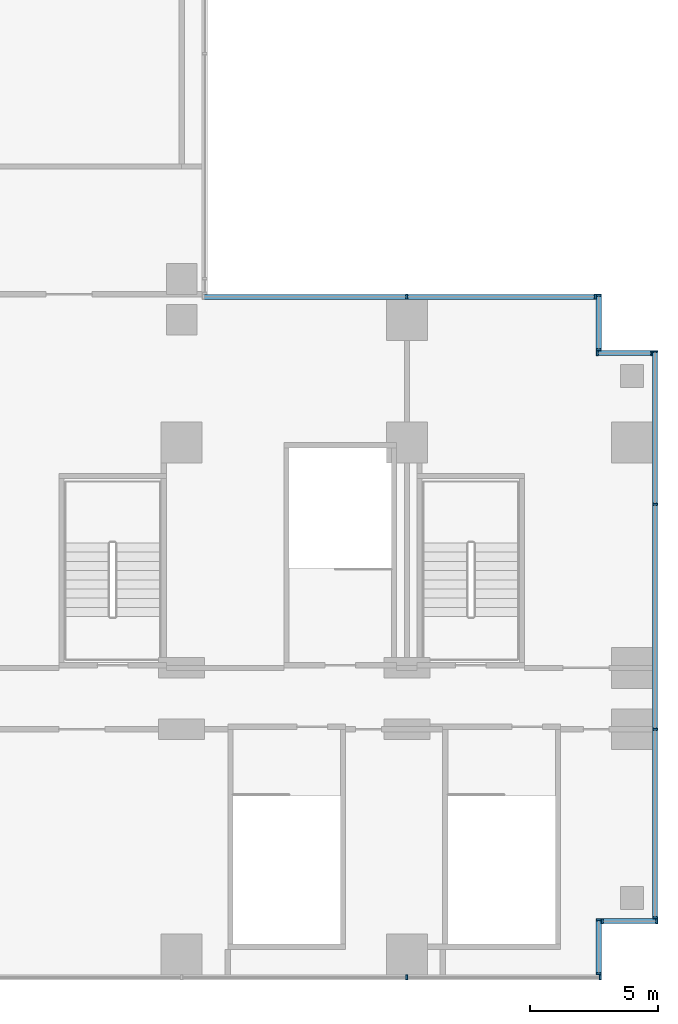
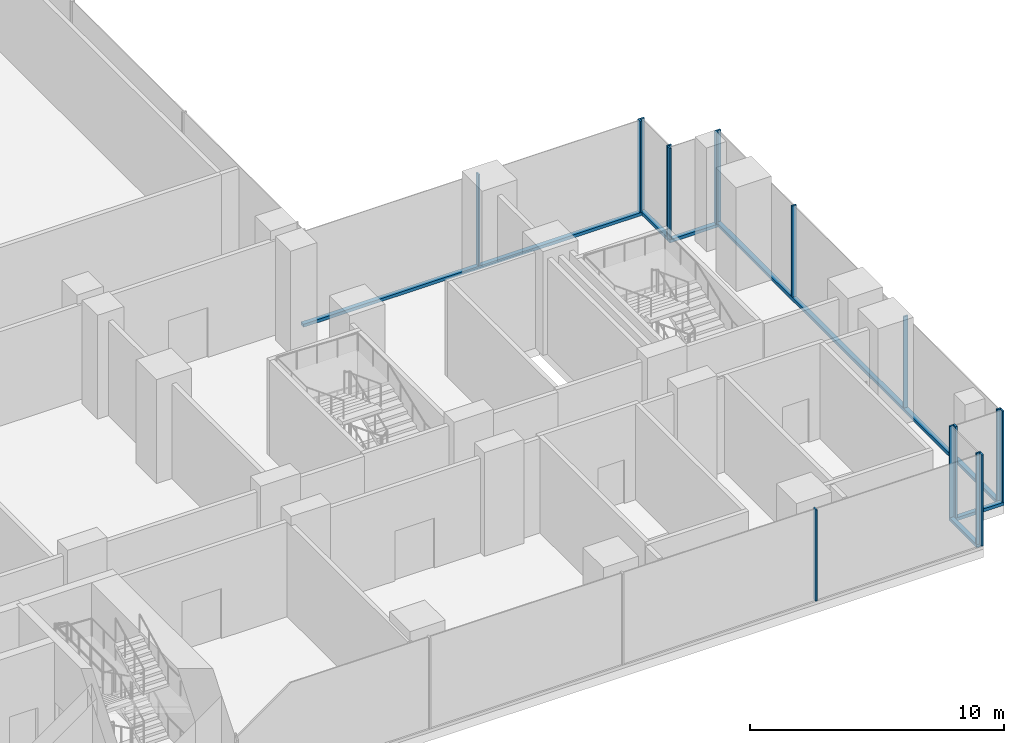
# One storey, part 10 of 27: 22 members, 7 elements without a shape of their own.
"""IFC4 building model written with IfcOpenShell, lengths in metres."""

from ifc_helpers import new_model, si_unit, direction, frame, origin, origin_2d, place, context, subcontext, project, spatial, rectangle, extrude, source, transform, mapped, material, material_profile, profile_set, type_object, element, aggregate, save


model = new_model("IFC4")

# Units and contexts
model_context = context("Model", 3, precision=1e-05, world=origin(), true_north=direction((0.0, 1.0)))
body_context = subcontext(model_context, "Body", "Model", "MODEL_VIEW")
ifc_project = project(units=[si_unit("LENGTHUNIT", "METRE"), si_unit("AREAUNIT", "SQUARE_METRE"), si_unit("VOLUMEUNIT", "CUBIC_METRE"), si_unit("PLANEANGLEUNIT", "RADIAN"), si_unit("MASSUNIT", "GRAM", prefix="KILO")], contexts=[model_context])

# Site, building, storey
site_placement = place(None, origin())
site = spatial("IfcSite", under=ifc_project, at=site_placement, CompositionType="ELEMENT")
building_placement = place(site_placement, origin())
building = spatial("IfcBuilding", under=site, at=building_placement, Name="Kemantara Hotel Tower", CompositionType="ELEMENT")
storey_placement = place(building_placement, frame((0.0, 0.0, 29.0)))
storey = spatial("IfcBuildingStorey", under=building, at=storey_placement, Name="L05", CompositionType="ELEMENT", Elevation=29.0)

# Curtain wall, member
ifc_material_1 = material(Name="Laminated tinted insulated glass 44 mm", Category="glass")
curtain_wall_type = type_object("IfcCurtainWallType", Name="PODIUM GLASS CURTAIN WALL", PredefinedType="USERDEFINED", material=ifc_material_1)
curtain_wall_1_placement = place(storey_placement, origin())
curtain_wall_1 = element("IfcCurtainWall", 1, at=curtain_wall_1_placement, inside=storey, type_object=curtain_wall_type, Name="CW1 L05 POD-R04-1", ObjectType="PODIUM GLASS CURTAIN WALL", PredefinedType="USERDEFINED")
ifc_material_2 = material(Name="Aluminium 6063-T6 bronze anodised", Category="aluminium")
ifc_material_profile_1 = material_profile(ifc_material_2, rectangle(XDim=0.199951171875, YDim=0.14990234375, at=origin_2d()), Name="PODIUM GLASS CURTAIN WALL TRANSOM")
ifc_profile_set_1 = profile_set([ifc_material_profile_1], Name="Aluminium 6063-T6 bronze anodised")
member_type_1 = type_object("IfcMemberType", Name="PODIUM GLASS CURTAIN WALL TRANSOM", PredefinedType="USERDEFINED", material=ifc_profile_set_1)
member_1_placement = place(storey_placement, frame((81.10009765625, 2.39990234375, 0.074951171875), z_axis=(0.0, 1.0, 0.0), x_axis=(-1.0, 0.0, 0.0)))
member_1 = element("IfcMember", 2, at=member_1_placement, type_object=member_type_1, Name="CW1 sill transom POD-R04-1", ObjectType="TRANSOM", PredefinedType="USERDEFINED", context=body_context, shape_type="SweptSolid", body=[
    extrude(rectangle(XDim=0.199951171875, YDim=0.14990234375, at=origin_2d()), origin(), (0.0, 0.0, 1.0), 22.2001953125),
])

curtain_wall_2_placement = place(storey_placement, origin())
curtain_wall_2 = element("IfcCurtainWall", 3, at=curtain_wall_2_placement, inside=storey, type_object=curtain_wall_type, Name="CW1 L05 POD-R07-1", ObjectType="PODIUM GLASS CURTAIN WALL", PredefinedType="USERDEFINED")
member_2_placement = place(storey_placement, frame((78.800048828125, 26.699951171875, 0.074951171875), z_axis=(-1.0, 0.0, 0.0), x_axis=(0.0, -1.0, 0.0)))
member_2 = element("IfcMember", 4, at=member_2_placement, type_object=member_type_1, Name="CW1 sill transom POD-R07-1", ObjectType="TRANSOM", PredefinedType="USERDEFINED", context=body_context, shape_type="SweptSolid", body=[
    extrude(rectangle(XDim=0.199951171875, YDim=0.14990234375, at=origin_2d()), origin(), (0.0, 0.0, 1.0), 15.400146484375),
])

curtain_wall_3_placement = place(storey_placement, origin())
curtain_wall_3 = element("IfcCurtainWall", 5, at=curtain_wall_3_placement, inside=storey, type_object=curtain_wall_type, Name="CW1 L05 POD-R02-1", ObjectType="PODIUM GLASS CURTAIN WALL", PredefinedType="USERDEFINED")
member_3_placement = place(storey_placement, frame((78.89990234375, 0.199951171875, 0.074951171875), z_axis=(0.0, 1.0, 0.0), x_axis=(-1.0, 0.0, 0.0)))
member_3 = element("IfcMember", 6, at=member_3_placement, type_object=member_type_1, Name="CW1 sill transom POD-R02-1", ObjectType="TRANSOM", PredefinedType="USERDEFINED", context=body_context, shape_type="SweptSolid", body=[
    extrude(rectangle(XDim=0.199951171875, YDim=0.14990234375, at=origin_2d()), origin(), (0.0, 0.0, 1.0), 2.199951171875),
])

curtain_wall_4_placement = place(storey_placement, origin())
curtain_wall_4 = element("IfcCurtainWall", 7, at=curtain_wall_4_placement, inside=storey, type_object=curtain_wall_type, Name="CW1 L05 POD-R03-1", ObjectType="PODIUM GLASS CURTAIN WALL", PredefinedType="USERDEFINED")
member_4_placement = place(storey_placement, frame((79.0, 2.300048828125, 0.074951171875), z_axis=(1.0, 0.0, 0.0), x_axis=(0.0, 1.0, 0.0)))
member_4 = element("IfcMember", 8, at=member_4_placement, type_object=member_type_1, Name="CW1 sill transom POD-R03-1", ObjectType="TRANSOM", PredefinedType="USERDEFINED", context=body_context, shape_type="SweptSolid", body=[
    extrude(rectangle(XDim=0.199951171875, YDim=0.14990234375, at=origin_2d()), origin(), (0.0, 0.0, 1.0), 2.199951171875),
])

curtain_wall_5_placement = place(storey_placement, origin())
curtain_wall_5 = element("IfcCurtainWall", 9, at=curtain_wall_5_placement, inside=storey, type_object=curtain_wall_type, Name="CW1 L05 POD-R05-1", ObjectType="PODIUM GLASS CURTAIN WALL", PredefinedType="USERDEFINED")
member_5_placement = place(storey_placement, frame((81.0, 24.5, 0.074951171875), z_axis=(-1.0, 0.0, 0.0), x_axis=(0.0, -1.0, 0.0)))
member_5 = element("IfcMember", 10, at=member_5_placement, type_object=member_type_1, Name="CW1 sill transom POD-R05-1", ObjectType="TRANSOM", PredefinedType="USERDEFINED", context=body_context, shape_type="SweptSolid", body=[
    extrude(rectangle(XDim=0.199951171875, YDim=0.14990234375, at=origin_2d()), origin(), (0.0, 0.0, 1.0), 2.199951171875),
])

curtain_wall_6_placement = place(storey_placement, origin())
curtain_wall_6 = element("IfcCurtainWall", 11, at=curtain_wall_6_placement, inside=storey, type_object=curtain_wall_type, Name="CW1 L05 POD-R06-1", ObjectType="PODIUM GLASS CURTAIN WALL", PredefinedType="USERDEFINED")
member_6_placement = place(storey_placement, frame((78.89990234375, 24.60009765625, 0.074951171875), z_axis=(0.0, 1.0, 0.0), x_axis=(-1.0, 0.0, 0.0)))
member_6 = element("IfcMember", 12, at=member_6_placement, type_object=member_type_1, Name="CW1 sill transom POD-R06-1", ObjectType="TRANSOM", PredefinedType="USERDEFINED", context=body_context, shape_type="SweptSolid", body=[
    extrude(rectangle(XDim=0.199951171875, YDim=0.14990234375, at=origin_2d()), origin(), (0.0, 0.0, 1.0), 2.199951171875),
])

# Curtain wall, members
curtain_wall_7_placement = place(storey_placement, origin())
curtain_wall_7 = element("IfcCurtainWall", 13, at=curtain_wall_7_placement, inside=storey, type_object=curtain_wall_type, Name="CW1 L05 POD-R01-2", ObjectType="PODIUM GLASS CURTAIN WALL", PredefinedType="USERDEFINED")
ifc_material_profile_2 = material_profile(ifc_material_2, rectangle(XDim=0.199951171875, YDim=0.074951171875, at=origin_2d()), Name="PODIUM GLASS CURTAIN WALL MULLION")
ifc_profile_set_2 = profile_set([ifc_material_profile_2], Name="Aluminium 6063-T6 bronze anodised")
member_type_2 = type_object("IfcMemberType", Name="PODIUM GLASS CURTAIN WALL MULLION", PredefinedType="MULLION", material=ifc_profile_set_2)
shared_shape = source(origin(), body_context, "Body", "SweptSolid", [
    extrude(rectangle(XDim=0.199951171875, YDim=0.074951171875, at=origin_2d()), origin(), (0.0, 0.0, 1.0), 4.400146484375),
])
member_7_placement = place(storey_placement, frame((71.39990234375, 0.10009765625, 0.14990234375), z_axis=(0.0, 0.0, 1.0), x_axis=(0.0, 1.0, 0.0)))
member_7 = element("IfcMember", 14, at=member_7_placement, type_object=member_type_2, Name="CW1 mullion POD-R01-2.4", PredefinedType="MULLION", context=body_context, shape_type="MappedRepresentation", body=[
    mapped(shared_shape, transform((0.0, 0.0, 0.0))),
])
member_8_placement = place(storey_placement, frame((78.96240234375, 0.10009765625, 0.14990234375), z_axis=(0.0, 0.0, 1.0), x_axis=(0.0, 1.0, 0.0)))
member_8 = element("IfcMember", 15, at=member_8_placement, type_object=member_type_2, Name="CW1 mullion POD-R01-2.5", PredefinedType="MULLION", context=body_context, shape_type="MappedRepresentation", body=[
    mapped(shared_shape, transform((0.0, 0.0, 0.0))),
])
aggregate(curtain_wall_7, [member_7, member_8])

# Member
member_9_placement = place(storey_placement, frame((81.10009765625, 2.4375, 0.14990234375), z_axis=(0.0, 0.0, 1.0), x_axis=(-1.0, 0.0, 0.0)))
member_9 = element("IfcMember", 16, at=member_9_placement, type_object=member_type_2, Name="CW1 mullion POD-R04-1.1", PredefinedType="MULLION", context=body_context, shape_type="MappedRepresentation", body=[
    mapped(shared_shape, transform((0.0, 0.0, 0.0))),
])

member_10_placement = place(storey_placement, frame((81.10009765625, 9.800048828125, 0.14990234375), z_axis=(0.0, 0.0, 1.0), x_axis=(-1.0, 0.0, 0.0)))
member_10 = element("IfcMember", 17, at=member_10_placement, type_object=member_type_2, Name="CW1 mullion POD-R04-1.2", PredefinedType="MULLION", context=body_context, shape_type="MappedRepresentation", body=[
    mapped(shared_shape, transform((0.0, 0.0, 0.0))),
])

member_11_placement = place(storey_placement, frame((81.10009765625, 18.60009765625, 0.14990234375), z_axis=(0.0, 0.0, 1.0), x_axis=(-1.0, 0.0, 0.0)))
member_11 = element("IfcMember", 18, at=member_11_placement, type_object=member_type_2, Name="CW1 mullion POD-R04-1.3", PredefinedType="MULLION", context=body_context, shape_type="MappedRepresentation", body=[
    mapped(shared_shape, transform((0.0, 0.0, 0.0))),
])

member_12_placement = place(storey_placement, frame((81.10009765625, 24.5625, 0.14990234375), z_axis=(0.0, 0.0, 1.0), x_axis=(-1.0, 0.0, 0.0)))
member_12 = element("IfcMember", 19, at=member_12_placement, type_object=member_type_2, Name="CW1 mullion POD-R04-1.4", PredefinedType="MULLION", context=body_context, shape_type="MappedRepresentation", body=[
    mapped(shared_shape, transform((0.0, 0.0, 0.0))),
])

aggregate(curtain_wall_1, [member_1, member_9, member_10, member_11, member_12])

member_13_placement = place(storey_placement, frame((78.762451171875, 26.699951171875, 0.14990234375), z_axis=(0.0, 0.0, 1.0), x_axis=(0.0, -1.0, 0.0)))
member_13 = element("IfcMember", 20, at=member_13_placement, type_object=member_type_2, Name="CW1 mullion POD-R07-1.1", PredefinedType="MULLION", context=body_context, shape_type="MappedRepresentation", body=[
    mapped(shared_shape, transform((0.0, 0.0, 0.0))),
])

member_14_placement = place(storey_placement, frame((71.39990234375, 26.699951171875, 0.14990234375), z_axis=(0.0, 0.0, 1.0), x_axis=(0.0, -1.0, 0.0)))
member_14 = element("IfcMember", 21, at=member_14_placement, type_object=member_type_2, Name="CW1 mullion POD-R07-1.2", PredefinedType="MULLION", context=body_context, shape_type="MappedRepresentation", body=[
    mapped(shared_shape, transform((0.0, 0.0, 0.0))),
])

aggregate(curtain_wall_2, [member_2, member_13, member_14])

member_15_placement = place(storey_placement, frame((78.89990234375, 0.237548828125, 0.14990234375), z_axis=(0.0, 0.0, 1.0), x_axis=(-1.0, 0.0, 0.0)))
member_15 = element("IfcMember", 22, at=member_15_placement, type_object=member_type_2, Name="CW1 mullion POD-R02-1.1", PredefinedType="MULLION", context=body_context, shape_type="MappedRepresentation", body=[
    mapped(shared_shape, transform((0.0, 0.0, 0.0))),
])

member_16_placement = place(storey_placement, frame((78.89990234375, 2.362548828125, 0.14990234375), z_axis=(0.0, 0.0, 1.0), x_axis=(-1.0, 0.0, 0.0)))
member_16 = element("IfcMember", 23, at=member_16_placement, type_object=member_type_2, Name="CW1 mullion POD-R02-1.2", PredefinedType="MULLION", context=body_context, shape_type="MappedRepresentation", body=[
    mapped(shared_shape, transform((0.0, 0.0, 0.0))),
])

aggregate(curtain_wall_3, [member_3, member_15, member_16])

member_17_placement = place(storey_placement, frame((79.03759765625, 2.300048828125, 0.14990234375), z_axis=(0.0, 0.0, 1.0), x_axis=(0.0, 1.0, 0.0)))
member_17 = element("IfcMember", 24, at=member_17_placement, type_object=member_type_2, Name="CW1 mullion POD-R03-1.1", PredefinedType="MULLION", context=body_context, shape_type="MappedRepresentation", body=[
    mapped(shared_shape, transform((0.0, 0.0, 0.0))),
])

member_18_placement = place(storey_placement, frame((81.16259765625, 2.300048828125, 0.14990234375), z_axis=(0.0, 0.0, 1.0), x_axis=(0.0, 1.0, 0.0)))
member_18 = element("IfcMember", 25, at=member_18_placement, type_object=member_type_2, Name="CW1 mullion POD-R03-1.2", PredefinedType="MULLION", context=body_context, shape_type="MappedRepresentation", body=[
    mapped(shared_shape, transform((0.0, 0.0, 0.0))),
])

aggregate(curtain_wall_4, [member_4, member_17, member_18])

member_19_placement = place(storey_placement, frame((80.96240234375, 24.5, 0.14990234375), z_axis=(0.0, 0.0, 1.0), x_axis=(0.0, -1.0, 0.0)))
member_19 = element("IfcMember", 26, at=member_19_placement, type_object=member_type_2, Name="CW1 mullion POD-R05-1.1", PredefinedType="MULLION", context=body_context, shape_type="MappedRepresentation", body=[
    mapped(shared_shape, transform((0.0, 0.0, 0.0))),
])

member_20_placement = place(storey_placement, frame((78.83740234375, 24.5, 0.14990234375), z_axis=(0.0, 0.0, 1.0), x_axis=(0.0, -1.0, 0.0)))
member_20 = element("IfcMember", 27, at=member_20_placement, type_object=member_type_2, Name="CW1 mullion POD-R05-1.2", PredefinedType="MULLION", context=body_context, shape_type="MappedRepresentation", body=[
    mapped(shared_shape, transform((0.0, 0.0, 0.0))),
])

aggregate(curtain_wall_5, [member_5, member_19, member_20])

member_21_placement = place(storey_placement, frame((78.89990234375, 24.637451171875, 0.14990234375), z_axis=(0.0, 0.0, 1.0), x_axis=(-1.0, 0.0, 0.0)))
member_21 = element("IfcMember", 28, at=member_21_placement, type_object=member_type_2, Name="CW1 mullion POD-R06-1.1", PredefinedType="MULLION", context=body_context, shape_type="MappedRepresentation", body=[
    mapped(shared_shape, transform((0.0, 0.0, 0.0))),
])

member_22_placement = place(storey_placement, frame((78.89990234375, 26.762451171875, 0.14990234375), z_axis=(0.0, 0.0, 1.0), x_axis=(-1.0, 0.0, 0.0)))
member_22 = element("IfcMember", 29, at=member_22_placement, type_object=member_type_2, Name="CW1 mullion POD-R06-1.2", PredefinedType="MULLION", context=body_context, shape_type="MappedRepresentation", body=[
    mapped(shared_shape, transform((0.0, 0.0, 0.0))),
])

aggregate(curtain_wall_6, [member_6, member_21, member_22])

save(model, "model.ifc")
